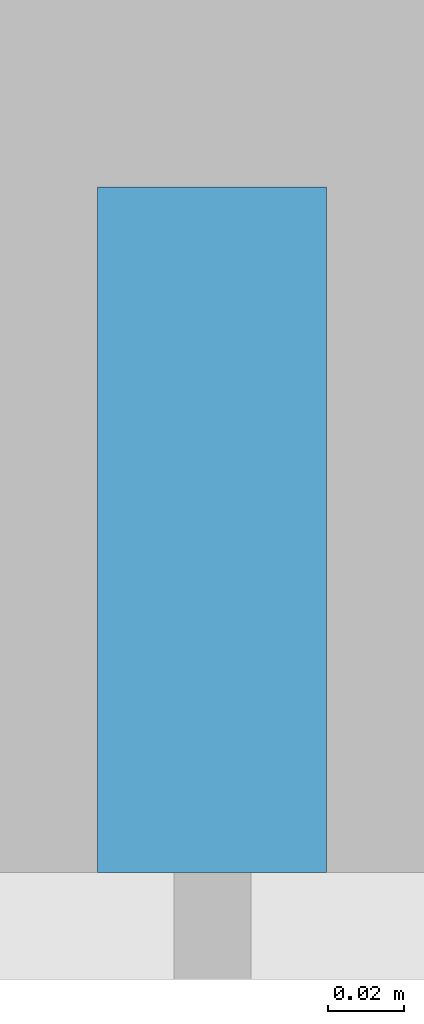
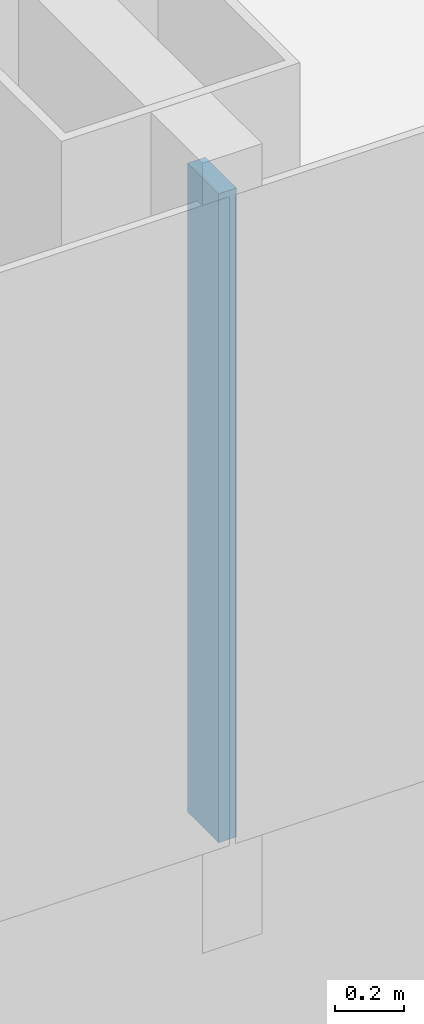
# One storey, part 6 of 29: 1 member, 1 element without a shape of its own.
"""IFC4 building model written with IfcOpenShell, lengths in metres."""

import ifcopenshell
import ifcopenshell.guid

model = None  # the IFC model being written
_history = None  # IfcOwnerHistory: only IFC2X3 demands one
_inside = {}  # id of a spatial element -> (the spatial element, [elements in it])
_under = {}  # id of a project, library or spatial element -> (it, [spatial elements below it])
_declared = {}  # id of a project -> (the project, [libraries it declares])
_typed = {}  # id of a type object -> (the type object, [elements of that type])
_made_of = {}  # id of a material, layer set ... -> (it, [elements and type objects made of it])


def new_model(schema):
    """Start an empty IFC model of exactly this schema.

    Asked for "IFC4X3", IfcOpenShell would pick the latest addendum, in which some entities
    have other attributes; the version numbers below select the first issue.
    IFC2X3 requires an IfcOwnerHistory on every rooted entity: one is made here for all.
    """
    global model, _history
    if schema == "IFC4X3":
        model = ifcopenshell.file(schema_version=(4, 3, 0, 0))
    else:
        model = ifcopenshell.file(schema=schema)
    _inside.clear()
    _under.clear()
    _declared.clear()
    _typed.clear()
    _made_of.clear()
    _history = None
    if model.schema == "IFC2X3":
        org = make("IfcOrganization", Name="unknown")
        user = make(
            "IfcPersonAndOrganization",
            ThePerson=make("IfcPerson", FamilyName="unknown"),
            TheOrganization=org,
        )
        app = make(
            "IfcApplication",
            ApplicationDeveloper=org,
            Version="unknown",
            ApplicationFullName="unknown",
            ApplicationIdentifier="unknown",
        )
        _history = make(
            "IfcOwnerHistory",
            OwningUser=user,
            OwningApplication=app,
            ChangeAction="ADDED",
            CreationDate=0,
        )
    return model


def make(cls, **values):
    """One entity of the class cls with the attributes given. An attribute that is None is left unset."""
    return model.create_entity(
        cls, **{name: value for name, value in values.items() if value is not None}
    )


def rooted(cls, **values):
    """An entity with a GlobalId (a new one), such as an element, a storey or a relation."""
    return make(cls, GlobalId=ifcopenshell.guid.new(), OwnerHistory=_history, **values)


def si_unit(unit_type, name, prefix=None):
    """IfcSIUnit, for example si_unit("LENGTHUNIT", "METRE", prefix="MILLI")."""
    return make("IfcSIUnit", UnitType=unit_type, Prefix=prefix, Name=name)


def assignment(units):
    """IfcUnitAssignment: the units of a project."""
    return None if units is None else make("IfcUnitAssignment", Units=units)


def point(xyz):
    """IfcCartesianPoint."""
    return None if xyz is None else make("IfcCartesianPoint", Coordinates=xyz)


def direction(xyz):
    """IfcDirection."""
    return None if xyz is None else make("IfcDirection", DirectionRatios=xyz)


def frame(location, z_axis=None, x_axis=None):
    """IfcAxis2Placement3D, a coordinate frame: its origin and axes. An axis left out is left unset."""
    return make(
        "IfcAxis2Placement3D",
        Location=point(location),
        Axis=direction(z_axis),
        RefDirection=direction(x_axis),
    )


def frame_2d(location, x_axis=None):
    """IfcAxis2Placement2D, a coordinate frame in the plane: its origin and x axis."""
    return make(
        "IfcAxis2Placement2D", Location=point(location), RefDirection=direction(x_axis)
    )


def origin():
    """The frame at (0, 0, 0) with its axes left unset."""
    return frame((0.0, 0.0, 0.0))


def origin_2d():
    """The frame at (0, 0) in the plane with its x axis left unset."""
    return frame_2d((0.0, 0.0))


def place(relative_to, where):
    """IfcLocalPlacement: puts the frame where relative to a parent placement (None: the world)."""
    return make(
        "IfcLocalPlacement", PlacementRelTo=relative_to, RelativePlacement=where
    )


def context(
    kind, dimensions, precision=None, world=None, true_north=None, identifier=None
):
    """IfcGeometricRepresentationContext, for example the 3D "Model" context."""
    return make(
        "IfcGeometricRepresentationContext",
        ContextIdentifier=identifier,
        ContextType=kind,
        CoordinateSpaceDimension=dimensions,
        Precision=precision,
        WorldCoordinateSystem=world,
        TrueNorth=true_north,
    )


def subcontext(parent, identifier, kind, view, scale=None):
    """IfcGeometricRepresentationSubContext, for example "Body" below "Model"."""
    return make(
        "IfcGeometricRepresentationSubContext",
        ContextIdentifier=identifier,
        ContextType=kind,
        ParentContext=parent,
        TargetScale=scale,
        TargetView=view,
    )


def project(units=None, contexts=None):
    """IfcProject with its units and contexts."""
    return rooted(
        "IfcProject",
        Name="project",
        RepresentationContexts=contexts,
        UnitsInContext=assignment(units),
    )


def spatial(cls, under=None, at=None, **own):
    """A site, building, storey or space (cls), placed at a placement, below another one or the project."""
    s = rooted(cls, ObjectPlacement=at, **own)
    if under is not None:
        _under.setdefault(under.id(), (under, []))[1].append(s)
    return s


def profile(cls, at=None, kind="AREA", **sizes):
    """A parametric profile (cls). Its sizes go by their IFC names, for example OverallWidth=200.0."""
    return make(cls, ProfileType=kind, Position=at, **sizes)


def rectangle(**sizes):
    """IfcRectangleProfileDef."""
    return profile("IfcRectangleProfileDef", **sizes)


def extrude(swept, where, along, depth):
    """IfcExtrudedAreaSolid: the profile swept, set in the frame where, extruded along a direction by depth."""
    return make(
        "IfcExtrudedAreaSolid",
        SweptArea=swept,
        Position=where,
        ExtrudedDirection=direction(along),
        Depth=depth,
    )


def shape(context_of_items, identifier, shape_type, items):
    """IfcShapeRepresentation: the items that make up one representation, for example the "Body"."""
    return make(
        "IfcShapeRepresentation",
        ContextOfItems=context_of_items,
        RepresentationIdentifier=identifier,
        RepresentationType=shape_type,
        Items=items,
    )


def material(Name=None, Category=None):
    """IfcMaterial."""
    return make("IfcMaterial", Name=Name, Category=Category)


def layer(
    of_material, thickness, ventilated=None, Name=None, Category=None, Priority=None
):
    """IfcMaterialLayer: one layer of a wall or slab, of a material (None: an air gap)."""
    return make(
        "IfcMaterialLayer",
        Material=of_material,
        LayerThickness=thickness,
        IsVentilated=ventilated,
        Name=Name,
        Category=Category,
        Priority=Priority,
    )


def layer_set(layers, Name=None):
    """IfcMaterialLayerSet."""
    return make("IfcMaterialLayerSet", MaterialLayers=layers, LayerSetName=Name)


def material_profile(
    of_material, cross_section, Name=None, Category=None, Priority=None
):
    """IfcMaterialProfile: a cross section and its material."""
    return make(
        "IfcMaterialProfile",
        Name=Name,
        Material=of_material,
        Profile=cross_section,
        Priority=Priority,
        Category=Category,
    )


def profile_set(profiles, Name=None, composite=None):
    """IfcMaterialProfileSet."""
    return make(
        "IfcMaterialProfileSet",
        Name=Name,
        MaterialProfiles=profiles,
        CompositeProfile=composite,
    )


def made_of(thing, what):
    """Note that an element or type object is made of a material, layer set ...; save() writes the relation."""
    if what is not None:
        _made_of.setdefault(what.id(), (what, []))[1].append(thing)
    return thing


def type_object(cls, material=None, **own):
    """A type object (cls), such as IfcWallType, which elements share."""
    return made_of(rooted(cls, **own), material)


def element(
    cls,
    number,
    at=None,
    inside=None,
    cuts=None,
    type_object=None,
    material=None,
    context=None,
    identifier="Body",
    shape_type=None,
    held_by="IfcProductDefinitionShape",
    body=None,
    shapes=None,
    **own,
):
    """One element of the class cls, such as IfcWall. Its Tag is "e" and its number.

    at: its placement. inside: the storey or other place that contains it. cuts: it is an
    opening in that element (IfcRelVoidsElement). A single representation is given by context,
    identifier, shape_type and body (its items); several are given by shapes. held_by: the class
    of the entity that holds the representations. save() writes the other relations.
    """
    e = rooted(cls, Tag="e%d" % number, ObjectPlacement=at, **own)
    if body is not None:
        shapes = [shape(context, identifier, shape_type, body)]
    if shapes is not None:
        e.Representation = make(held_by, Representations=shapes)
    if inside is not None:
        _inside.setdefault(inside.id(), (inside, []))[1].append(e)
    if cuts is not None:
        rooted(
            "IfcRelVoidsElement", RelatingBuildingElement=cuts, RelatedOpeningElement=e
        )
    if type_object is not None:
        _typed.setdefault(type_object.id(), (type_object, []))[1].append(e)
    return made_of(e, material)


def aggregate(whole, parts):
    """IfcRelAggregates: a whole, such as a stair, and the parts it consists of."""
    return rooted("IfcRelAggregates", RelatingObject=whole, RelatedObjects=parts)


def save(model, path):
    """Write the relations noted so far, then the file.

    IfcRelAggregates (storeys below a building ...), IfcRelContainedInSpatialStructure (elements
    in a storey), IfcRelDefinesByType, IfcRelAssociatesMaterial and IfcRelDeclares: one each for
    every whole, place, type object, material and project.
    """
    for whole, parts in _under.values():
        aggregate(whole, parts)
    for where, things in _inside.values():
        rooted(
            "IfcRelContainedInSpatialStructure",
            RelatedElements=things,
            RelatingStructure=where,
        )
    for kind, things in _typed.values():
        rooted("IfcRelDefinesByType", RelatedObjects=things, RelatingType=kind)
    for what, things in _made_of.values():
        rooted("IfcRelAssociatesMaterial", RelatedObjects=things, RelatingMaterial=what)
    for by, libraries in _declared.values():
        rooted("IfcRelDeclares", RelatingContext=by, RelatedDefinitions=libraries)
    model.write(path)


model = new_model("IFC4")

# Units and contexts
model_context = context("Model", 3, precision=1e-05, world=origin(), true_north=direction((0.0, 1.0)))
body_context = subcontext(model_context, "Body", "Model", "MODEL_VIEW")
ifc_project = project(units=[si_unit("LENGTHUNIT", "METRE"), si_unit("AREAUNIT", "SQUARE_METRE"), si_unit("VOLUMEUNIT", "CUBIC_METRE"), si_unit("PLANEANGLEUNIT", "RADIAN"), si_unit("MASSUNIT", "GRAM", prefix="KILO")], contexts=[model_context])

# Site, building, storey
site_placement = place(None, origin())
site = spatial("IfcSite", under=ifc_project, at=site_placement, CompositionType="ELEMENT")
building_placement = place(site_placement, origin())
building = spatial("IfcBuilding", under=site, at=building_placement, Name="Hakoniwa Tower and Hamabe Station Hall", CompositionType="ELEMENT")
storey_placement = place(building_placement, frame((0.0, 0.0, 91.39990234375)))
storey = spatial("IfcBuildingStorey", under=building, at=storey_placement, Name="L25", CompositionType="ELEMENT", Elevation=91.39990234375)

# Curtain wall, member
ifc_material_1 = material(Name="Dark low-e laminated glass", Category="glass")
ifc_layer = layer(ifc_material_1, 0.199951171875)
ifc_layer_set = layer_set([ifc_layer], Name="CW-1 UNITISED GUEST")
curtain_wall_type = type_object("IfcCurtainWallType", Name="CW-1 UNITISED GUEST", PredefinedType="NOTDEFINED", material=ifc_layer_set)
curtain_wall_placement = place(storey_placement, origin())
curtain_wall = element("IfcCurtainWall", 1, at=curtain_wall_placement, inside=storey, type_object=curtain_wall_type, Name="CW-1 curtain wall", PredefinedType="NOTDEFINED")
ifc_material_2 = material(Name="Aluminium 6063-T5 black anodised", Category="aluminium")
ifc_material_profile = material_profile(ifc_material_2, rectangle(XDim=0.06005859375, YDim=0.179931640625, at=origin_2d()), Name="CW-1 MULLION 60X180")
ifc_profile_set = profile_set([ifc_material_profile], Name="Aluminium 6063-T5 black anodised")
member_type = type_object("IfcMemberType", Name="CW-1 MULLION 60X180", PredefinedType="MULLION", material=ifc_profile_set)
member_placement = place(storey_placement, frame((8.39990234375, -15.431884765625, 0.35009765625), z_axis=(0.0, 0.0, 1.0), x_axis=(1.0, 0.0, 0.0)))
member = element("IfcMember", 2, at=member_placement, type_object=member_type, Name="CW-1 mullion", PredefinedType="MULLION", context=body_context, shape_type="SweptSolid", body=[
    extrude(rectangle(XDim=0.06005859375, YDim=0.179931640625, at=origin_2d()), origin(), (0.0, 0.0, 1.0), 2.300048828125),
])
aggregate(curtain_wall, [member])

save(model, "model.ifc")
